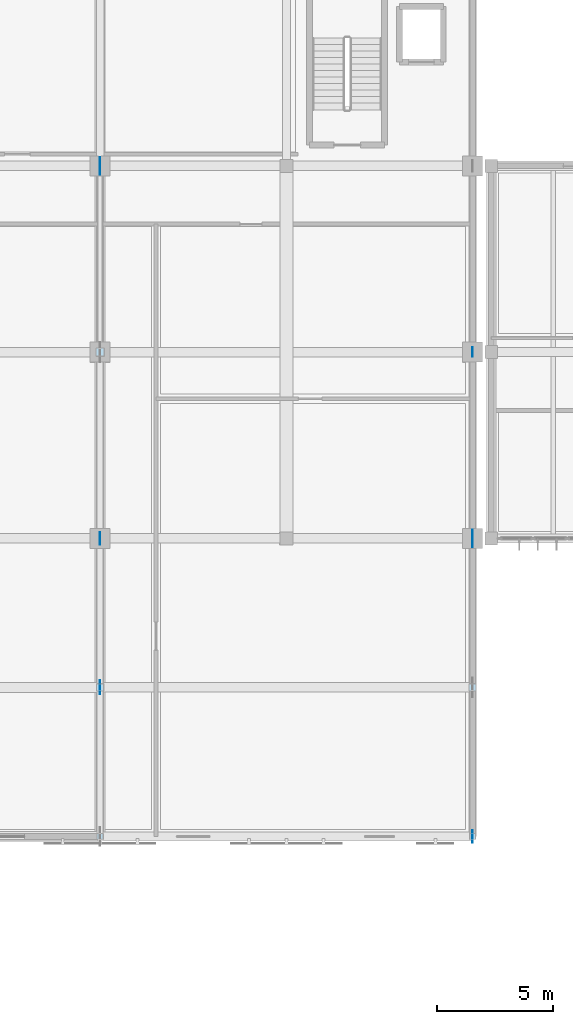
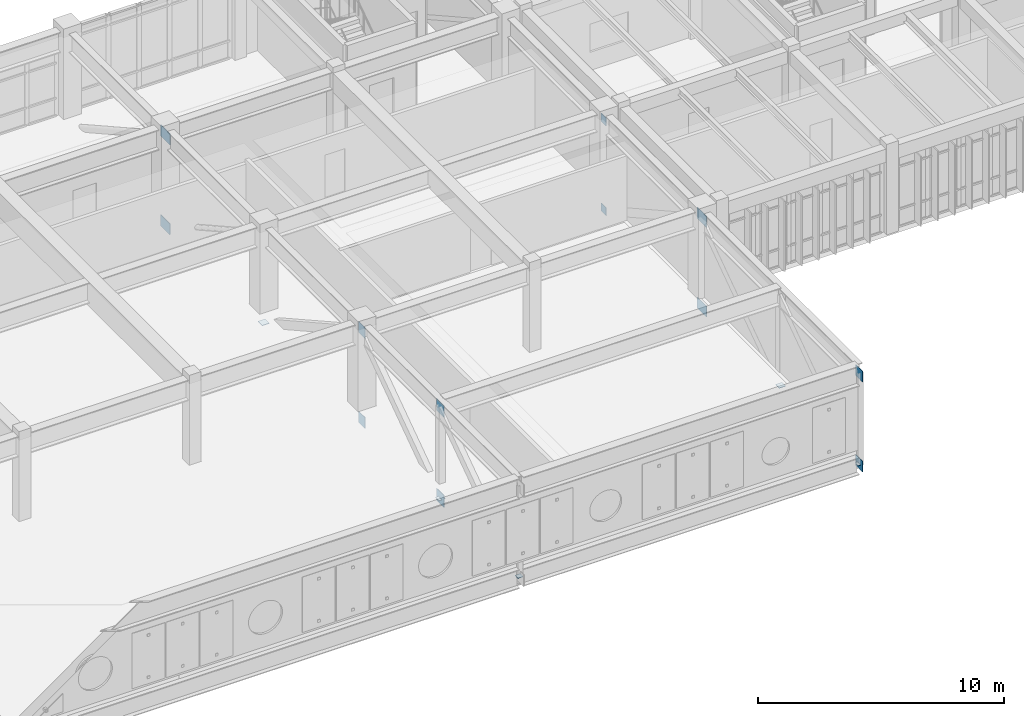
# One storey, part 48 of 79: 17 plates.
"""IFC4 building model written with IfcOpenShell, lengths in metres."""

from ifc_helpers import new_model, si_unit, direction, frame, origin, origin_2d, place, context, subcontext, project, spatial, rectangle, extrude, material, layer, layer_set, type_object, element, save


model = new_model("IFC4")

# Units and contexts
model_context = context("Model", 3, precision=1e-05, world=origin(), true_north=direction((0.0, 1.0)))
body_context = subcontext(model_context, "Body", "Model", "MODEL_VIEW")
ifc_project = project(units=[si_unit("LENGTHUNIT", "METRE"), si_unit("AREAUNIT", "SQUARE_METRE"), si_unit("VOLUMEUNIT", "CUBIC_METRE"), si_unit("PLANEANGLEUNIT", "RADIAN"), si_unit("MASSUNIT", "GRAM", prefix="KILO")], contexts=[model_context])

# Site, building, storey
site_placement = place(None, origin())
site = spatial("IfcSite", under=ifc_project, at=site_placement, CompositionType="ELEMENT")
building_placement = place(site_placement, origin())
building = spatial("IfcBuilding", under=site, at=building_placement, Name="Tlaxcora Railside Police Headquarters", CompositionType="ELEMENT")
storey_placement = place(building_placement, frame((0.0, 0.0, 9.0)))
storey = spatial("IfcBuildingStorey", under=building, at=storey_placement, Name="L02", CompositionType="ELEMENT", Elevation=9.0)

# Plates
ifc_material = material(Name="Steel ASTM A992 Grade 50", Category="steel")
ifc_layer_1 = layer(ifc_material, 0.02392578125, Name="Steel ASTM A992 Grade 50")
ifc_layer_set_1 = layer_set([ifc_layer_1], Name="Steel ASTM A992 Grade 50")
plate_type_1 = type_object("IfcPlateType", Name="Structural Gusset or Cap Plate GP-20", PredefinedType="USERDEFINED", material=ifc_layer_set_1)
for number, where, z_axis, x_axis, name in (
    (1, (86.0, 36.0, 3.4248046875), (0.0, 0.0, 1.0), (0.0, 1.0, 0.0), "Truss gusset plate KN-3-3"),
    (2, (86.0, 36.0, -1.044921875), (0.0, 0.0, 1.0), (0.0, 1.0, 0.0), "Truss bottom-chord gusset plate KNB-3-3"),
    (3, (102.0, 23.199951171875, 3.4248046875), (0.0, 0.0, 1.0), (0.0, 1.0, 0.0), "Truss gusset plate KN-4-5"),
    (4, (102.0, 23.199951171875, -1.044921875), (0.0, 0.0, 1.0), (0.0, 1.0, 0.0), "Truss bottom-chord gusset plate KNB-4-5"),
):
    element("IfcPlate", number, at=place(storey_placement, frame(where, z_axis=z_axis, x_axis=x_axis)), inside=storey, type_object=plate_type_1, Name=name, ObjectType="GUSSET PLATE", PredefinedType="USERDEFINED", context=body_context, shape_type="SweptSolid", body=[
        extrude(rectangle(XDim=0.550048828125, YDim=0.02392578125, at=origin_2d()), origin(), (0.0, 0.0, 1.0), 0.550048828125),
    ])
ifc_layer_2 = layer(ifc_material, 0.02490234375, Name="Steel ASTM A992 Grade 50")
ifc_layer_set_2 = layer_set([ifc_layer_2], Name="Steel ASTM A992 Grade 50")
plate_type_2 = type_object("IfcPlateType", Name="Structural Gusset or Cap Plate GP-22", PredefinedType="USERDEFINED", material=ifc_layer_set_2)
plate_1_placement = place(storey_placement, frame((86.0, 44.0, -0.7900390625), z_axis=(0.0, 0.0, 1.0), x_axis=(1.0, 0.0, 0.0)))
element("IfcPlate", 5, at=plate_1_placement, inside=storey, type_object=plate_type_2, Name="Truss TR-3 post bottom seal cap 2", ObjectType="GUSSET PLATE", PredefinedType="USERDEFINED", context=body_context, shape_type="SweptSolid", body=[
    extrude(rectangle(XDim=0.35009765625, YDim=0.35009765625, at=origin_2d()), origin(), (0.0, 0.0, 1.0), 0.02001953125),
])
plate_2_placement = place(storey_placement, frame((86.0, 29.60009765625, -0.7900390625), z_axis=(0.0, 0.0, 1.0), x_axis=(1.0, 0.0, 0.0)))
element("IfcPlate", 6, at=plate_2_placement, inside=storey, type_object=plate_type_2, Name="Truss TR-3 post bottom seal cap 4", ObjectType="GUSSET PLATE", PredefinedType="USERDEFINED", context=body_context, shape_type="SweptSolid", body=[
    extrude(rectangle(XDim=0.300048828125, YDim=0.300048828125, at=origin_2d()), origin(), (0.0, 0.0, 1.0), 0.02001953125),
])
for number, where, z_axis, x_axis, name in (
    (7, (86.0, 29.60009765625, 3.39990234375), (0.0, 0.0, 1.0), (0.0, 1.0, 0.0), "Truss gusset plate KN-3-4"),
    (8, (86.0, 29.60009765625, -1.070068359375), (0.0, 0.0, 1.0), (0.0, 1.0, 0.0), "Truss bottom-chord gusset plate KNB-3-4"),
):
    element("IfcPlate", number, at=place(storey_placement, frame(where, z_axis=z_axis, x_axis=x_axis)), inside=storey, type_object=plate_type_2, Name=name, ObjectType="GUSSET PLATE", PredefinedType="USERDEFINED", context=body_context, shape_type="SweptSolid", body=[
        extrude(rectangle(XDim=0.60009765625, YDim=0.02490234375, at=origin_2d()), origin(), (0.0, 0.0, 1.0), 0.60009765625),
    ])
plate_3_placement = place(storey_placement, frame((86.0, 23.199951171875, -0.7900390625), z_axis=(0.0, 0.0, 1.0), x_axis=(1.0, 0.0, 0.0)))
element("IfcPlate", 9, at=plate_3_placement, inside=storey, type_object=plate_type_2, Name="Truss TR-3 post bottom seal cap 5", ObjectType="GUSSET PLATE", PredefinedType="USERDEFINED", context=body_context, shape_type="SweptSolid", body=[
    extrude(rectangle(XDim=0.25, YDim=0.25, at=origin_2d()), origin(), (0.0, 0.0, 1.0), 0.02001953125),
])
plate_4_placement = place(storey_placement, frame((102.0, 29.60009765625, -0.7900390625), z_axis=(0.0, 0.0, 1.0), x_axis=(1.0, 0.0, 0.0)))
element("IfcPlate", 10, at=plate_4_placement, inside=storey, type_object=plate_type_2, Name="Truss TR-4 post bottom seal cap 4", ObjectType="GUSSET PLATE", PredefinedType="USERDEFINED", context=body_context, shape_type="SweptSolid", body=[
    extrude(rectangle(XDim=0.300048828125, YDim=0.300048828125, at=origin_2d()), origin(), (0.0, 0.0, 1.0), 0.02001953125),
])
plate_5_placement = place(storey_placement, frame((102.0, 23.199951171875, -0.7900390625), z_axis=(0.0, 0.0, 1.0), x_axis=(1.0, 0.0, 0.0)))
element("IfcPlate", 11, at=plate_5_placement, inside=storey, type_object=plate_type_2, Name="Truss TR-4 post bottom seal cap 5", ObjectType="GUSSET PLATE", PredefinedType="USERDEFINED", context=body_context, shape_type="SweptSolid", body=[
    extrude(rectangle(XDim=0.25, YDim=0.25, at=origin_2d()), origin(), (0.0, 0.0, 1.0), 0.02001953125),
])
ifc_layer_3 = layer(ifc_material, 0.02001953125, Name="Steel ASTM A992 Grade 50")
ifc_layer_set_3 = layer_set([ifc_layer_3], Name="Steel ASTM A992 Grade 50")
plate_type_3 = type_object("IfcPlateType", Name="Structural Gusset or Cap Plate GP-37", PredefinedType="USERDEFINED", material=ifc_layer_set_3)
for number, where, z_axis, x_axis, name in (
    (12, (102.0, 44.0, 3.5), (0.0, 0.0, 1.0), (0.0, 1.0, 0.0), "Truss gusset plate KN-4-2"),
    (13, (102.0, 44.0, -0.969970703125), (0.0, 0.0, 1.0), (0.0, 1.0, 0.0), "Truss bottom-chord gusset plate KNB-4-2"),
):
    element("IfcPlate", number, at=place(storey_placement, frame(where, z_axis=z_axis, x_axis=x_axis)), inside=storey, type_object=plate_type_3, Name=name, ObjectType="GUSSET PLATE", PredefinedType="USERDEFINED", context=body_context, shape_type="SweptSolid", body=[
        extrude(rectangle(XDim=0.39990234375, YDim=0.02001953125, at=origin_2d()), origin(), (0.0, 0.0, 1.0), 0.39990234375),
    ])
ifc_layer_4 = layer(ifc_material, 0.028076171875, Name="Steel ASTM A992 Grade 50")
ifc_layer_set_4 = layer_set([ifc_layer_4], Name="Steel ASTM A992 Grade 50")
plate_type_4 = type_object("IfcPlateType", Name="Structural Gusset or Cap Plate GP-68", PredefinedType="USERDEFINED", material=ifc_layer_set_4)
for number, where, z_axis, x_axis, name in (
    (14, (86.0, 52.0, 3.4248046875), (0.0, 0.0, 1.0), (0.0, 1.0, 0.0), "Truss gusset plate KN-3-1"),
    (15, (86.0, 52.0, -1.044921875), (0.0, 0.0, 1.0), (0.0, 1.0, 0.0), "Truss bottom-chord gusset plate KNB-3-1"),
    (16, (102.0, 36.0, 3.4248046875), (0.0, 0.0, 1.0), (0.0, 1.0, 0.0), "Truss gusset plate KN-4-3"),
    (17, (102.0, 36.0, -1.044921875), (0.0, 0.0, 1.0), (0.0, 1.0, 0.0), "Truss bottom-chord gusset plate KNB-4-3"),
):
    element("IfcPlate", number, at=place(storey_placement, frame(where, z_axis=z_axis, x_axis=x_axis)), inside=storey, type_object=plate_type_4, Name=name, ObjectType="GUSSET PLATE", PredefinedType="USERDEFINED", context=body_context, shape_type="SweptSolid", body=[
        extrude(rectangle(XDim=0.75, YDim=0.028076171875, at=origin_2d()), origin(), (0.0, 0.0, 1.0), 0.550048828125),
    ])

save(model, "model.ifc")
